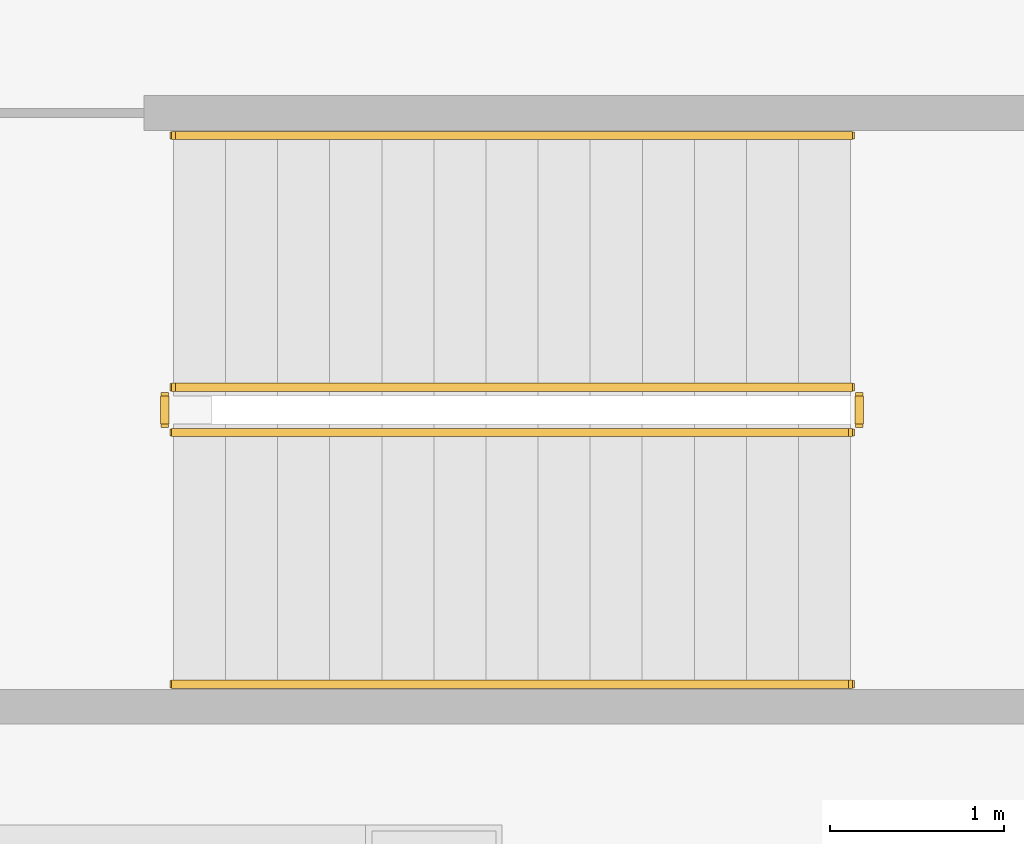
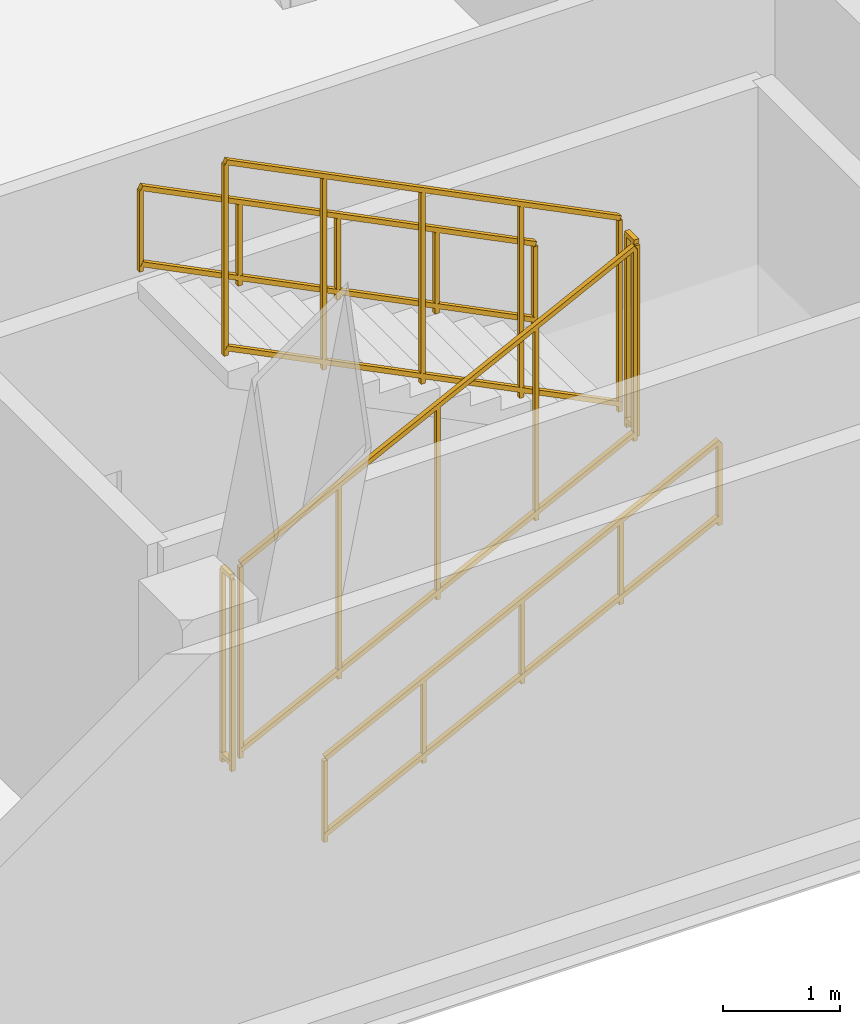
# One storey, part 21 of 23: 6 railings.
"""IFC4 building model written with IfcOpenShell, lengths in metres."""

from ifc_helpers import new_model, si_unit, direction, frame, origin, origin_2d, place, context, subcontext, project, spatial, rectangle, extrude, material, type_object, element, save


model = new_model("IFC4")

# Units and contexts
model_context = context("Model", 3, precision=1e-05, world=origin(), true_north=direction((0.0, 1.0)))
body_context = subcontext(model_context, "Body", "Model", "MODEL_VIEW")
ifc_project = project(units=[si_unit("LENGTHUNIT", "METRE"), si_unit("AREAUNIT", "SQUARE_METRE"), si_unit("VOLUMEUNIT", "CUBIC_METRE"), si_unit("PLANEANGLEUNIT", "RADIAN"), si_unit("MASSUNIT", "GRAM", prefix="KILO")], contexts=[model_context])

# Site, building, storey
site_placement = place(None, origin())
site = spatial("IfcSite", under=ifc_project, at=site_placement, CompositionType="ELEMENT")
building_placement = place(site_placement, origin())
building = spatial("IfcBuilding", under=site, at=building_placement, Name="Khorvyn Point Tower", CompositionType="ELEMENT")
storey_placement = place(building_placement, frame((0.0, 0.0, 9.0)))
storey = spatial("IfcBuildingStorey", under=building, at=storey_placement, Name="L03", CompositionType="ELEMENT", Elevation=9.0)

# Railings
ifc_material = material(Name="Stainless steel 1.4301", Category="steel")
railing_type_1 = type_object("IfcRailingType", Name="Stainless Steel 304 Stair Pitch Handrail 900", PredefinedType="HANDRAIL", material=ifc_material)
railing_1_placement = place(storey_placement, frame((25.949951171875, 8.610107421875, 0.14990234375)))
element("IfcRailing", 1, at=railing_1_placement, inside=storey, type_object=railing_type_1, Name="L03 ST-S3 stair handrail 1", PredefinedType="HANDRAIL", context=body_context, shape_type="SweptSolid", body=[
    extrude(rectangle(XDim=0.048095703125, YDim=0.048095703125, at=origin_2d()), frame((0.0, 0.0, 0.8759765625), z_axis=(0.894415993023, 0.0, 0.447235990752), x_axis=(0.0, 1.0, 0.0)), (0.0, 0.0, 1.0), 4.360595703125),
    extrude(rectangle(XDim=0.048095703125, YDim=0.048095703125, at=origin_2d()), frame((0.0, 0.0, 0.080078125), z_axis=(0.894415993023, 0.0, 0.447235990752), x_axis=(0.0, 1.0, 0.0)), (0.0, 0.0, 1.0), 4.360595703125),
    extrude(rectangle(XDim=0.0419921875, YDim=0.0419921875, at=origin_2d()), origin(), (0.0, 0.0, 1.0), 0.851806640625),
    extrude(rectangle(XDim=0.0419921875, YDim=0.0419921875, at=origin_2d()), frame((0.97509765625, 0.0, 0.487548828125)), (0.0, 0.0, 1.0), 0.851806640625),
    extrude(rectangle(XDim=0.0419921875, YDim=0.0419921875, at=origin_2d()), frame((1.9501953125, 0.0, 0.97509765625)), (0.0, 0.0, 1.0), 0.851806640625),
    extrude(rectangle(XDim=0.0419921875, YDim=0.0419921875, at=origin_2d()), frame((2.925048828125, 0.0, 1.462646484375)), (0.0, 0.0, 1.0), 0.851806640625),
    extrude(rectangle(XDim=0.0419921875, YDim=0.0419921875, at=origin_2d()), frame((3.900146484375, 0.0, 1.9501953125)), (0.0, 0.0, 1.0), 0.851806640625),
])
railing_2_placement = place(storey_placement, frame((29.85009765625, 11.77001953125, 2.25)))
element("IfcRailing", 2, at=railing_2_placement, inside=storey, type_object=railing_type_1, Name="L03 ST-S3 stair handrail 2", PredefinedType="HANDRAIL", context=body_context, shape_type="SweptSolid", body=[
    extrude(rectangle(XDim=0.048095703125, YDim=0.048095703125, at=origin_2d()), frame((0.0, 0.0, 0.8759765625), z_axis=(-0.894438388696, 0.0, 0.447191199406), x_axis=(0.0, -1.0, 0.0)), (0.0, 0.0, 1.0), 4.3603515625),
    extrude(rectangle(XDim=0.048095703125, YDim=0.048095703125, at=origin_2d()), frame((0.0, 0.0, 0.080078125), z_axis=(-0.894438388696, 0.0, 0.447191199406), x_axis=(0.0, -1.0, 0.0)), (0.0, 0.0, 1.0), 4.3603515625),
    extrude(rectangle(XDim=0.0419921875, YDim=0.0419921875, at=origin_2d()), origin(), (0.0, 0.0, 1.0), 0.851806640625),
    extrude(rectangle(XDim=0.0419921875, YDim=0.0419921875, at=origin_2d()), frame((-0.97509765625, 0.0, 0.487548828125)), (0.0, 0.0, 1.0), 0.851806640625),
    extrude(rectangle(XDim=0.0419921875, YDim=0.0419921875, at=origin_2d()), frame((-1.9501953125, 0.0, 0.97509765625)), (0.0, 0.0, 1.0), 0.851806640625),
    extrude(rectangle(XDim=0.0419921875, YDim=0.0419921875, at=origin_2d()), frame((-2.925048828125, 0.0, 1.46240234375)), (0.0, 0.0, 1.0), 0.851806640625),
    extrude(rectangle(XDim=0.0419921875, YDim=0.0419921875, at=origin_2d()), frame((-3.900146484375, 0.0, 1.949951171875)), (0.0, 0.0, 1.0), 0.851806640625),
])
railing_type_2 = type_object("IfcRailingType", Name="Stainless Steel 304 Stair Well Guardrail 1400", PredefinedType="GUARDRAIL", material=ifc_material)
railing_3_placement = place(storey_placement, frame((25.949951171875, 10.06005859375, 0.14990234375)))
element("IfcRailing", 3, at=railing_3_placement, inside=storey, type_object=railing_type_2, Name="L03 ST-S3 stair guard 1", PredefinedType="GUARDRAIL", context=body_context, shape_type="SweptSolid", body=[
    extrude(rectangle(XDim=0.048095703125, YDim=0.048095703125, at=origin_2d()), frame((0.0, 0.0, 2.02587890625), z_axis=(0.894415993023, 0.0, 0.447235990752), x_axis=(0.0, 1.0, 0.0)), (0.0, 0.0, 1.0), 4.360595703125),
    extrude(rectangle(XDim=0.048095703125, YDim=0.048095703125, at=origin_2d()), frame((0.0, 0.0, 0.080078125), z_axis=(0.894415993023, 0.0, 0.447235990752), x_axis=(0.0, 1.0, 0.0)), (0.0, 0.0, 1.0), 4.360595703125),
    extrude(rectangle(XDim=0.0419921875, YDim=0.0419921875, at=origin_2d()), origin(), (0.0, 0.0, 1.0), 2.001953125),
    extrude(rectangle(XDim=0.0419921875, YDim=0.0419921875, at=origin_2d()), frame((0.97509765625, 0.0, 0.487548828125)), (0.0, 0.0, 1.0), 2.001953125),
    extrude(rectangle(XDim=0.0419921875, YDim=0.0419921875, at=origin_2d()), frame((1.9501953125, 0.0, 0.97509765625)), (0.0, 0.0, 1.0), 2.001953125),
    extrude(rectangle(XDim=0.0419921875, YDim=0.0419921875, at=origin_2d()), frame((2.925048828125, 0.0, 1.462646484375)), (0.0, 0.0, 1.0), 2.001953125),
    extrude(rectangle(XDim=0.0419921875, YDim=0.0419921875, at=origin_2d()), frame((3.900146484375, 0.0, 1.9501953125)), (0.0, 0.0, 1.0), 2.001953125),
])
railing_4_placement = place(storey_placement, frame((29.89990234375, 10.110107421875, 2.10009765625)))
element("IfcRailing", 4, at=railing_4_placement, inside=storey, type_object=railing_type_2, Name="L03 ST-S3 stair guard 2", PredefinedType="GUARDRAIL", context=body_context, shape_type="SweptSolid", body=[
    extrude(rectangle(XDim=0.048095703125, YDim=0.048095703125, at=origin_2d()), frame((0.0, 0.0, 2.02587890625), z_axis=(0.0, 1.0, 0.0), x_axis=(-1.0, 0.0, 0.0)), (0.0, 0.0, 1.0), 0.159912109375),
    extrude(rectangle(XDim=0.048095703125, YDim=0.048095703125, at=origin_2d()), frame((0.0, 0.0, 0.080078125), z_axis=(0.0, 1.0, 0.0), x_axis=(-1.0, 0.0, 0.0)), (0.0, 0.0, 1.0), 0.159912109375),
    extrude(rectangle(XDim=0.0419921875, YDim=0.0419921875, at=origin_2d()), origin(), (0.0, 0.0, 1.0), 2.001953125),
    extrude(rectangle(XDim=0.0419921875, YDim=0.0419921875, at=origin_2d()), frame((0.0, 0.159912109375, 0.0)), (0.0, 0.0, 1.0), 2.001953125),
])
railing_5_placement = place(storey_placement, frame((29.85009765625, 10.320068359375, 2.25)))
element("IfcRailing", 5, at=railing_5_placement, inside=storey, type_object=railing_type_2, Name="L03 ST-S3 stair guard 3", PredefinedType="GUARDRAIL", context=body_context, shape_type="SweptSolid", body=[
    extrude(rectangle(XDim=0.048095703125, YDim=0.048095703125, at=origin_2d()), frame((0.0, 0.0, 2.02587890625), z_axis=(-0.894438388696, 0.0, 0.447191199406), x_axis=(0.0, -1.0, 0.0)), (0.0, 0.0, 1.0), 4.3603515625),
    extrude(rectangle(XDim=0.048095703125, YDim=0.048095703125, at=origin_2d()), frame((0.0, 0.0, 0.080078125), z_axis=(-0.894438388696, 0.0, 0.447191199406), x_axis=(0.0, -1.0, 0.0)), (0.0, 0.0, 1.0), 4.3603515625),
    extrude(rectangle(XDim=0.0419921875, YDim=0.0419921875, at=origin_2d()), origin(), (0.0, 0.0, 1.0), 2.001953125),
    extrude(rectangle(XDim=0.0419921875, YDim=0.0419921875, at=origin_2d()), frame((-0.97509765625, 0.0, 0.487548828125)), (0.0, 0.0, 1.0), 2.001953125),
    extrude(rectangle(XDim=0.0419921875, YDim=0.0419921875, at=origin_2d()), frame((-1.9501953125, 0.0, 0.97509765625)), (0.0, 0.0, 1.0), 2.001953125),
    extrude(rectangle(XDim=0.0419921875, YDim=0.0419921875, at=origin_2d()), frame((-2.925048828125, 0.0, 1.46240234375)), (0.0, 0.0, 1.0), 2.001953125),
    extrude(rectangle(XDim=0.0419921875, YDim=0.0419921875, at=origin_2d()), frame((-3.900146484375, 0.0, 1.949951171875)), (0.0, 0.0, 1.0), 2.001953125),
])
railing_6_placement = place(storey_placement, frame((25.89990234375, 10.110107421875, 0.0)))
element("IfcRailing", 6, at=railing_6_placement, inside=storey, type_object=railing_type_2, Name="L03 ST-S3 stair guard 4", PredefinedType="GUARDRAIL", context=body_context, shape_type="SweptSolid", body=[
    extrude(rectangle(XDim=0.048095703125, YDim=0.048095703125, at=origin_2d()), frame((0.0, 0.0, 2.02587890625), z_axis=(0.0, 1.0, 0.0), x_axis=(-1.0, 0.0, 0.0)), (0.0, 0.0, 1.0), 0.159912109375),
    extrude(rectangle(XDim=0.048095703125, YDim=0.048095703125, at=origin_2d()), frame((0.0, 0.0, 0.080078125), z_axis=(0.0, 1.0, 0.0), x_axis=(-1.0, 0.0, 0.0)), (0.0, 0.0, 1.0), 0.159912109375),
    extrude(rectangle(XDim=0.0419921875, YDim=0.0419921875, at=origin_2d()), origin(), (0.0, 0.0, 1.0), 2.001953125),
    extrude(rectangle(XDim=0.0419921875, YDim=0.0419921875, at=origin_2d()), frame((0.0, 0.159912109375, 0.0)), (0.0, 0.0, 1.0), 2.001953125),
])

save(model, "model.ifc")
